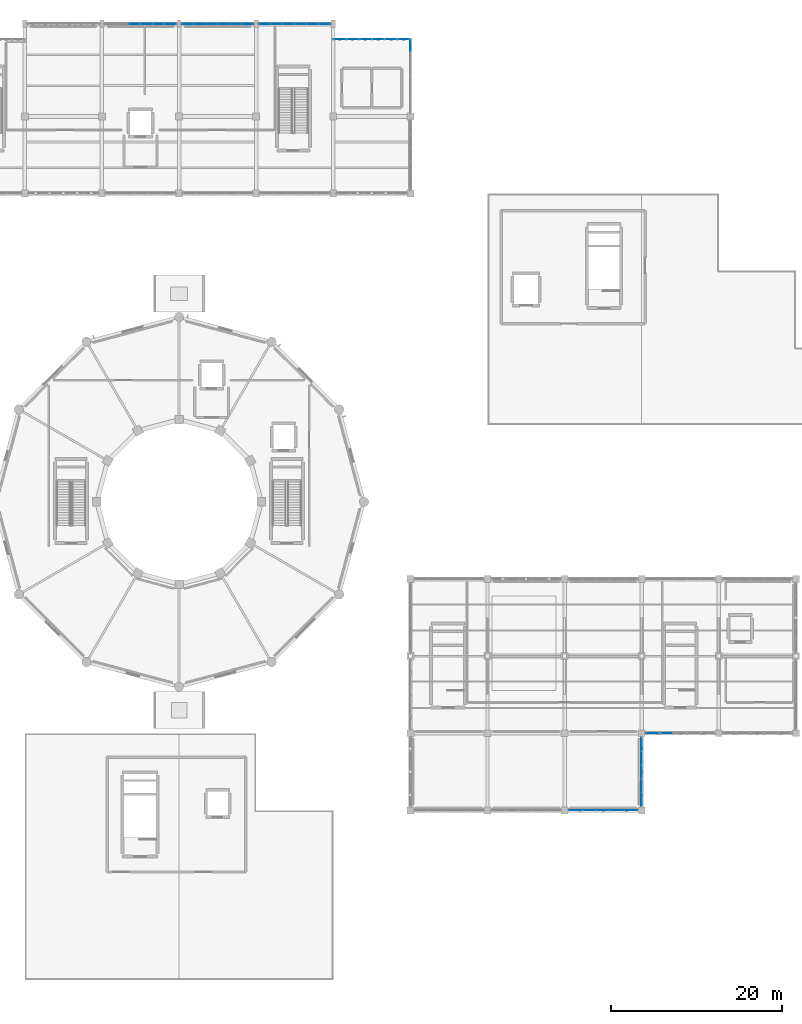
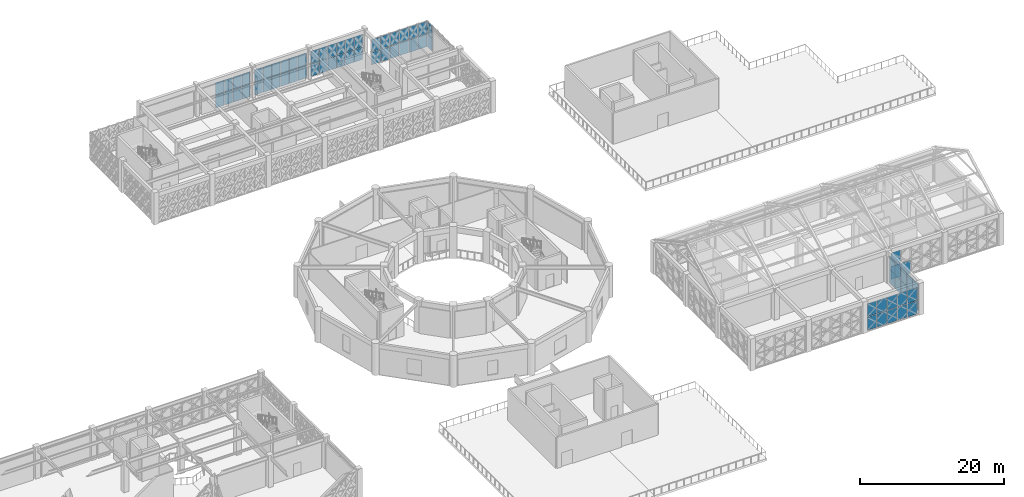
# One storey, part 67 of 86: 69 plates, 8 elements without a shape of their own.
"""IFC4 building model written with IfcOpenShell, lengths in metres."""

import ifcopenshell
import ifcopenshell.guid

model = None  # the IFC model being written
_history = None  # IfcOwnerHistory: only IFC2X3 demands one
_inside = {}  # id of a spatial element -> (the spatial element, [elements in it])
_under = {}  # id of a project, library or spatial element -> (it, [spatial elements below it])
_declared = {}  # id of a project -> (the project, [libraries it declares])
_typed = {}  # id of a type object -> (the type object, [elements of that type])
_made_of = {}  # id of a material, layer set ... -> (it, [elements and type objects made of it])


def new_model(schema):
    """Start an empty IFC model of exactly this schema.

    Asked for "IFC4X3", IfcOpenShell would pick the latest addendum, in which some entities
    have other attributes; the version numbers below select the first issue.
    IFC2X3 requires an IfcOwnerHistory on every rooted entity: one is made here for all.
    """
    global model, _history
    if schema == "IFC4X3":
        model = ifcopenshell.file(schema_version=(4, 3, 0, 0))
    else:
        model = ifcopenshell.file(schema=schema)
    _inside.clear()
    _under.clear()
    _declared.clear()
    _typed.clear()
    _made_of.clear()
    _history = None
    if model.schema == "IFC2X3":
        org = make("IfcOrganization", Name="unknown")
        user = make(
            "IfcPersonAndOrganization",
            ThePerson=make("IfcPerson", FamilyName="unknown"),
            TheOrganization=org,
        )
        app = make(
            "IfcApplication",
            ApplicationDeveloper=org,
            Version="unknown",
            ApplicationFullName="unknown",
            ApplicationIdentifier="unknown",
        )
        _history = make(
            "IfcOwnerHistory",
            OwningUser=user,
            OwningApplication=app,
            ChangeAction="ADDED",
            CreationDate=0,
        )
    return model


def make(cls, **values):
    """One entity of the class cls with the attributes given. An attribute that is None is left unset."""
    return model.create_entity(
        cls, **{name: value for name, value in values.items() if value is not None}
    )


def rooted(cls, **values):
    """An entity with a GlobalId (a new one), such as an element, a storey or a relation."""
    return make(cls, GlobalId=ifcopenshell.guid.new(), OwnerHistory=_history, **values)


def si_unit(unit_type, name, prefix=None):
    """IfcSIUnit, for example si_unit("LENGTHUNIT", "METRE", prefix="MILLI")."""
    return make("IfcSIUnit", UnitType=unit_type, Prefix=prefix, Name=name)


def assignment(units):
    """IfcUnitAssignment: the units of a project."""
    return None if units is None else make("IfcUnitAssignment", Units=units)


def point(xyz):
    """IfcCartesianPoint."""
    return None if xyz is None else make("IfcCartesianPoint", Coordinates=xyz)


def direction(xyz):
    """IfcDirection."""
    return None if xyz is None else make("IfcDirection", DirectionRatios=xyz)


def frame(location, z_axis=None, x_axis=None):
    """IfcAxis2Placement3D, a coordinate frame: its origin and axes. An axis left out is left unset."""
    return make(
        "IfcAxis2Placement3D",
        Location=point(location),
        Axis=direction(z_axis),
        RefDirection=direction(x_axis),
    )


def frame_2d(location, x_axis=None):
    """IfcAxis2Placement2D, a coordinate frame in the plane: its origin and x axis."""
    return make(
        "IfcAxis2Placement2D", Location=point(location), RefDirection=direction(x_axis)
    )


def origin():
    """The frame at (0, 0, 0) with its axes left unset."""
    return frame((0.0, 0.0, 0.0))


def origin_2d():
    """The frame at (0, 0) in the plane with its x axis left unset."""
    return frame_2d((0.0, 0.0))


def place(relative_to, where):
    """IfcLocalPlacement: puts the frame where relative to a parent placement (None: the world)."""
    return make(
        "IfcLocalPlacement", PlacementRelTo=relative_to, RelativePlacement=where
    )


def context(
    kind, dimensions, precision=None, world=None, true_north=None, identifier=None
):
    """IfcGeometricRepresentationContext, for example the 3D "Model" context."""
    return make(
        "IfcGeometricRepresentationContext",
        ContextIdentifier=identifier,
        ContextType=kind,
        CoordinateSpaceDimension=dimensions,
        Precision=precision,
        WorldCoordinateSystem=world,
        TrueNorth=true_north,
    )


def subcontext(parent, identifier, kind, view, scale=None):
    """IfcGeometricRepresentationSubContext, for example "Body" below "Model"."""
    return make(
        "IfcGeometricRepresentationSubContext",
        ContextIdentifier=identifier,
        ContextType=kind,
        ParentContext=parent,
        TargetScale=scale,
        TargetView=view,
    )


def project(units=None, contexts=None):
    """IfcProject with its units and contexts."""
    return rooted(
        "IfcProject",
        Name="project",
        RepresentationContexts=contexts,
        UnitsInContext=assignment(units),
    )


def spatial(cls, under=None, at=None, **own):
    """A site, building, storey or space (cls), placed at a placement, below another one or the project."""
    s = rooted(cls, ObjectPlacement=at, **own)
    if under is not None:
        _under.setdefault(under.id(), (under, []))[1].append(s)
    return s


def profile(cls, at=None, kind="AREA", **sizes):
    """A parametric profile (cls). Its sizes go by their IFC names, for example OverallWidth=200.0."""
    return make(cls, ProfileType=kind, Position=at, **sizes)


def rectangle(**sizes):
    """IfcRectangleProfileDef."""
    return profile("IfcRectangleProfileDef", **sizes)


def extrude(swept, where, along, depth):
    """IfcExtrudedAreaSolid: the profile swept, set in the frame where, extruded along a direction by depth."""
    return make(
        "IfcExtrudedAreaSolid",
        SweptArea=swept,
        Position=where,
        ExtrudedDirection=direction(along),
        Depth=depth,
    )


def shape(context_of_items, identifier, shape_type, items):
    """IfcShapeRepresentation: the items that make up one representation, for example the "Body"."""
    return make(
        "IfcShapeRepresentation",
        ContextOfItems=context_of_items,
        RepresentationIdentifier=identifier,
        RepresentationType=shape_type,
        Items=items,
    )


def material(Name=None, Category=None):
    """IfcMaterial."""
    return make("IfcMaterial", Name=Name, Category=Category)


def layer(
    of_material, thickness, ventilated=None, Name=None, Category=None, Priority=None
):
    """IfcMaterialLayer: one layer of a wall or slab, of a material (None: an air gap)."""
    return make(
        "IfcMaterialLayer",
        Material=of_material,
        LayerThickness=thickness,
        IsVentilated=ventilated,
        Name=Name,
        Category=Category,
        Priority=Priority,
    )


def layer_set(layers, Name=None):
    """IfcMaterialLayerSet."""
    return make("IfcMaterialLayerSet", MaterialLayers=layers, LayerSetName=Name)


def made_of(thing, what):
    """Note that an element or type object is made of a material, layer set ...; save() writes the relation."""
    if what is not None:
        _made_of.setdefault(what.id(), (what, []))[1].append(thing)
    return thing


def type_object(cls, material=None, **own):
    """A type object (cls), such as IfcWallType, which elements share."""
    return made_of(rooted(cls, **own), material)


def element(
    cls,
    number,
    at=None,
    inside=None,
    cuts=None,
    type_object=None,
    material=None,
    context=None,
    identifier="Body",
    shape_type=None,
    held_by="IfcProductDefinitionShape",
    body=None,
    shapes=None,
    **own,
):
    """One element of the class cls, such as IfcWall. Its Tag is "e" and its number.

    at: its placement. inside: the storey or other place that contains it. cuts: it is an
    opening in that element (IfcRelVoidsElement). A single representation is given by context,
    identifier, shape_type and body (its items); several are given by shapes. held_by: the class
    of the entity that holds the representations. save() writes the other relations.
    """
    e = rooted(cls, Tag="e%d" % number, ObjectPlacement=at, **own)
    if body is not None:
        shapes = [shape(context, identifier, shape_type, body)]
    if shapes is not None:
        e.Representation = make(held_by, Representations=shapes)
    if inside is not None:
        _inside.setdefault(inside.id(), (inside, []))[1].append(e)
    if cuts is not None:
        rooted(
            "IfcRelVoidsElement", RelatingBuildingElement=cuts, RelatedOpeningElement=e
        )
    if type_object is not None:
        _typed.setdefault(type_object.id(), (type_object, []))[1].append(e)
    return made_of(e, material)


def aggregate(whole, parts):
    """IfcRelAggregates: a whole, such as a stair, and the parts it consists of."""
    return rooted("IfcRelAggregates", RelatingObject=whole, RelatedObjects=parts)


def save(model, path):
    """Write the relations noted so far, then the file.

    IfcRelAggregates (storeys below a building ...), IfcRelContainedInSpatialStructure (elements
    in a storey), IfcRelDefinesByType, IfcRelAssociatesMaterial and IfcRelDeclares: one each for
    every whole, place, type object, material and project.
    """
    for whole, parts in _under.values():
        aggregate(whole, parts)
    for where, things in _inside.values():
        rooted(
            "IfcRelContainedInSpatialStructure",
            RelatedElements=things,
            RelatingStructure=where,
        )
    for kind, things in _typed.values():
        rooted("IfcRelDefinesByType", RelatedObjects=things, RelatingType=kind)
    for what, things in _made_of.values():
        rooted("IfcRelAssociatesMaterial", RelatedObjects=things, RelatingMaterial=what)
    for by, libraries in _declared.values():
        rooted("IfcRelDeclares", RelatingContext=by, RelatedDefinitions=libraries)
    model.write(path)


model = new_model("IFC4")

# Units and contexts
model_context = context("Model", 3, precision=1e-05, world=origin(), true_north=direction((0.0, 1.0)))
body_context = subcontext(model_context, "Body", "Model", "MODEL_VIEW")
ifc_project = project(units=[si_unit("LENGTHUNIT", "METRE"), si_unit("AREAUNIT", "SQUARE_METRE"), si_unit("VOLUMEUNIT", "CUBIC_METRE"), si_unit("PLANEANGLEUNIT", "RADIAN"), si_unit("MASSUNIT", "GRAM", prefix="KILO")], contexts=[model_context])

# Site, building, storey
site_placement = place(None, origin())
site = spatial("IfcSite", under=ifc_project, at=site_placement, CompositionType="ELEMENT")
building_placement = place(site_placement, origin())
building = spatial("IfcBuilding", under=site, at=building_placement, Name="Haizhuo Lancet Aquarium", CompositionType="ELEMENT")
storey_placement = place(building_placement, frame((0.0, 0.0, 16.199951171875)))
storey = spatial("IfcBuildingStorey", under=building, at=storey_placement, Name="L03", CompositionType="ELEMENT", Elevation=16.199951171875)

# Curtain wall, plates
ifc_material_1 = material(Name="Aluminium 6063-T6", Category="aluminium")
curtain_wall_type_1 = type_object("IfcCurtainWallType", Name="CWO-8110x4650", PredefinedType="NOTDEFINED", material=ifc_material_1)
curtain_wall_1_placement = place(storey_placement, origin())
curtain_wall_1 = element("IfcCurtainWall", 1, at=curtain_wall_1_placement, inside=storey, type_object=curtain_wall_type_1, Name="L03 curtain wall CW-V3-L03-077", PredefinedType="NOTDEFINED")
ifc_material_2 = material(Name="Laminated Low-E Glass", Category="glass")
ifc_layer_1 = layer(ifc_material_2, 0.028076171875)
ifc_layer_set_1 = layer_set([ifc_layer_1], Name="Laminated Low-E Glass")
plate_type_1 = type_object("IfcPlateType", Name="CW-PNL-1", PredefinedType="CURTAIN_PANEL", material=ifc_layer_set_1)
plate_1_placement = place(storey_placement, frame((52.72509765625, -36.0, 0.0751953125), z_axis=(0.0, 0.0, 1.0), x_axis=(-1.0, 0.0, 0.0)))
plate_1 = element("IfcPlate", 2, at=plate_1_placement, type_object=plate_type_1, Name="CWO-81x46 panel 1.1", PredefinedType="CURTAIN_PANEL", context=body_context, shape_type="SweptSolid", body=[
    extrude(rectangle(XDim=1.509033203125, YDim=0.028076171875, at=origin_2d()), origin(), (0.0, 0.0, 1.0), 2.2119140625),
])
plate_2_placement = place(storey_placement, frame((52.72509765625, -36.0, 2.363037109375), z_axis=(0.0, 0.0, 1.0), x_axis=(-1.0, 0.0, 0.0)))
plate_2 = element("IfcPlate", 3, at=plate_2_placement, type_object=plate_type_1, Name="CWO-81x46 panel 1.2", PredefinedType="CURTAIN_PANEL", context=body_context, shape_type="SweptSolid", body=[
    extrude(rectangle(XDim=1.509033203125, YDim=0.028076171875, at=origin_2d()), origin(), (0.0, 0.0, 1.0), 2.2119140625),
])
plate_3_placement = place(storey_placement, frame((51.1220703125, -36.0, 0.0751953125), z_axis=(0.0, 0.0, 1.0), x_axis=(-1.0, 0.0, 0.0)))
plate_3 = element("IfcPlate", 4, at=plate_3_placement, type_object=plate_type_1, Name="CWO-81x46 panel 2.1", PredefinedType="CURTAIN_PANEL", context=body_context, shape_type="SweptSolid", body=[
    extrude(rectangle(XDim=1.547119140625, YDim=0.028076171875, at=origin_2d()), origin(), (0.0, 0.0, 1.0), 2.2119140625),
])
plate_4_placement = place(storey_placement, frame((51.1220703125, -36.0, 2.363037109375), z_axis=(0.0, 0.0, 1.0), x_axis=(-1.0, 0.0, 0.0)))
plate_4 = element("IfcPlate", 5, at=plate_4_placement, type_object=plate_type_1, Name="CWO-81x46 panel 2.2", PredefinedType="CURTAIN_PANEL", context=body_context, shape_type="SweptSolid", body=[
    extrude(rectangle(XDim=1.547119140625, YDim=0.028076171875, at=origin_2d()), origin(), (0.0, 0.0, 1.0), 2.2119140625),
])
plate_5_placement = place(storey_placement, frame((49.5, -36.0, 0.0751953125), z_axis=(0.0, 0.0, 1.0), x_axis=(-1.0, 0.0, 0.0)))
plate_5 = element("IfcPlate", 6, at=plate_5_placement, type_object=plate_type_1, Name="CWO-81x46 panel 3.1", PredefinedType="CURTAIN_PANEL", context=body_context, shape_type="SweptSolid", body=[
    extrude(rectangle(XDim=1.547119140625, YDim=0.028076171875, at=origin_2d()), origin(), (0.0, 0.0, 1.0), 2.2119140625),
])
plate_6_placement = place(storey_placement, frame((49.5, -36.0, 2.363037109375), z_axis=(0.0, 0.0, 1.0), x_axis=(-1.0, 0.0, 0.0)))
plate_6 = element("IfcPlate", 7, at=plate_6_placement, type_object=plate_type_1, Name="CWO-81x46 panel 3.2", PredefinedType="CURTAIN_PANEL", context=body_context, shape_type="SweptSolid", body=[
    extrude(rectangle(XDim=1.547119140625, YDim=0.028076171875, at=origin_2d()), origin(), (0.0, 0.0, 1.0), 2.2119140625),
])
plate_7_placement = place(storey_placement, frame((47.8779296875, -36.0, 0.0751953125), z_axis=(0.0, 0.0, 1.0), x_axis=(-1.0, 0.0, 0.0)))
plate_7 = element("IfcPlate", 8, at=plate_7_placement, type_object=plate_type_1, Name="CWO-81x46 panel 4.1", PredefinedType="CURTAIN_PANEL", context=body_context, shape_type="SweptSolid", body=[
    extrude(rectangle(XDim=1.547119140625, YDim=0.028076171875, at=origin_2d()), origin(), (0.0, 0.0, 1.0), 2.2119140625),
])
plate_8_placement = place(storey_placement, frame((47.8779296875, -36.0, 2.363037109375), z_axis=(0.0, 0.0, 1.0), x_axis=(-1.0, 0.0, 0.0)))
plate_8 = element("IfcPlate", 9, at=plate_8_placement, type_object=plate_type_1, Name="CWO-81x46 panel 4.2", PredefinedType="CURTAIN_PANEL", context=body_context, shape_type="SweptSolid", body=[
    extrude(rectangle(XDim=1.547119140625, YDim=0.028076171875, at=origin_2d()), origin(), (0.0, 0.0, 1.0), 2.2119140625),
])
plate_9_placement = place(storey_placement, frame((46.27490234375, -36.0, 0.0751953125), z_axis=(0.0, 0.0, 1.0), x_axis=(-1.0, 0.0, 0.0)))
plate_9 = element("IfcPlate", 10, at=plate_9_placement, type_object=plate_type_1, Name="CWO-81x46 panel 5.1", PredefinedType="CURTAIN_PANEL", context=body_context, shape_type="SweptSolid", body=[
    extrude(rectangle(XDim=1.510009765625, YDim=0.028076171875, at=origin_2d()), origin(), (0.0, 0.0, 1.0), 2.2119140625),
])
plate_10_placement = place(storey_placement, frame((46.27490234375, -36.0, 2.363037109375), z_axis=(0.0, 0.0, 1.0), x_axis=(-1.0, 0.0, 0.0)))
plate_10 = element("IfcPlate", 11, at=plate_10_placement, type_object=plate_type_1, Name="CWO-81x46 panel 5.2", PredefinedType="CURTAIN_PANEL", context=body_context, shape_type="SweptSolid", body=[
    extrude(rectangle(XDim=1.510009765625, YDim=0.028076171875, at=origin_2d()), origin(), (0.0, 0.0, 1.0), 2.2119140625),
])
aggregate(curtain_wall_1, [plate_1, plate_2, plate_3, plate_4, plate_5, plate_6, plate_7, plate_8, plate_9, plate_10])

curtain_wall_type_2 = type_object("IfcCurtainWallType", Name="CWD-9000x4430", PredefinedType="NOTDEFINED", material=ifc_material_1)
curtain_wall_2_placement = place(storey_placement, origin())
curtain_wall_2 = element("IfcCurtainWall", 12, at=curtain_wall_2_placement, inside=storey, type_object=curtain_wall_type_2, Name="L03 curtain wall CW-V5-L03-165", PredefinedType="NOTDEFINED")
plate_11_placement = place(storey_placement, frame((18.77001953125, 54.0, 0.080078125), z_axis=(0.0, 0.0, 1.0), x_axis=(1.0, 0.0, 0.0)))
plate_11 = element("IfcPlate", 13, at=plate_11_placement, type_object=plate_type_1, Name="CWD-90x44 panel 1.1", PredefinedType="CURTAIN_PANEL", context=body_context, shape_type="SweptSolid", body=[
    extrude(rectangle(XDim=1.3798828125, YDim=0.028076171875, at=origin_2d()), origin(), (0.0, 0.0, 1.0), 2.097900390625),
])
plate_12_placement = place(storey_placement, frame((18.77001953125, 54.0, 2.2587890625), z_axis=(0.0, 0.0, 1.0), x_axis=(1.0, 0.0, 0.0)))
plate_12 = element("IfcPlate", 14, at=plate_12_placement, type_object=plate_type_1, Name="CWD-90x44 panel 1.2", PredefinedType="CURTAIN_PANEL", context=body_context, shape_type="SweptSolid", body=[
    extrude(rectangle(XDim=1.3798828125, YDim=0.028076171875, at=origin_2d()), origin(), (0.0, 0.0, 1.0), 2.096923828125),
])
plate_13_placement = place(storey_placement, frame((20.25, 54.0, 0.080078125), z_axis=(0.0, 0.0, 1.0), x_axis=(1.0, 0.0, 0.0)))
plate_13 = element("IfcPlate", 15, at=plate_13_placement, type_object=plate_type_1, Name="CWD-90x44 panel 2.1", PredefinedType="CURTAIN_PANEL", context=body_context, shape_type="SweptSolid", body=[
    extrude(rectangle(XDim=1.419921875, YDim=0.028076171875, at=origin_2d()), origin(), (0.0, 0.0, 1.0), 2.097900390625),
])
plate_14_placement = place(storey_placement, frame((20.25, 54.0, 2.2587890625), z_axis=(0.0, 0.0, 1.0), x_axis=(1.0, 0.0, 0.0)))
plate_14 = element("IfcPlate", 16, at=plate_14_placement, type_object=plate_type_1, Name="CWD-90x44 panel 2.2", PredefinedType="CURTAIN_PANEL", context=body_context, shape_type="SweptSolid", body=[
    extrude(rectangle(XDim=1.419921875, YDim=0.028076171875, at=origin_2d()), origin(), (0.0, 0.0, 1.0), 2.096923828125),
])
plate_15_placement = place(storey_placement, frame((21.75, 54.0, 0.080078125), z_axis=(0.0, 0.0, 1.0), x_axis=(1.0, 0.0, 0.0)))
plate_15 = element("IfcPlate", 17, at=plate_15_placement, type_object=plate_type_1, Name="CWD-90x44 panel 3.1", PredefinedType="CURTAIN_PANEL", context=body_context, shape_type="SweptSolid", body=[
    extrude(rectangle(XDim=1.419921875, YDim=0.028076171875, at=origin_2d()), origin(), (0.0, 0.0, 1.0), 2.097900390625),
])
plate_16_placement = place(storey_placement, frame((21.75, 54.0, 2.2587890625), z_axis=(0.0, 0.0, 1.0), x_axis=(1.0, 0.0, 0.0)))
plate_16 = element("IfcPlate", 18, at=plate_16_placement, type_object=plate_type_1, Name="CWD-90x44 panel 3.2", PredefinedType="CURTAIN_PANEL", context=body_context, shape_type="SweptSolid", body=[
    extrude(rectangle(XDim=1.419921875, YDim=0.028076171875, at=origin_2d()), origin(), (0.0, 0.0, 1.0), 2.096923828125),
])
plate_17_placement = place(storey_placement, frame((23.25, 54.0, 0.080078125), z_axis=(0.0, 0.0, 1.0), x_axis=(1.0, 0.0, 0.0)))
plate_17 = element("IfcPlate", 19, at=plate_17_placement, type_object=plate_type_1, Name="CWD-90x44 panel 4.1", PredefinedType="CURTAIN_PANEL", context=body_context, shape_type="SweptSolid", body=[
    extrude(rectangle(XDim=1.419921875, YDim=0.028076171875, at=origin_2d()), origin(), (0.0, 0.0, 1.0), 2.097900390625),
])
plate_18_placement = place(storey_placement, frame((23.25, 54.0, 2.2587890625), z_axis=(0.0, 0.0, 1.0), x_axis=(1.0, 0.0, 0.0)))
plate_18 = element("IfcPlate", 20, at=plate_18_placement, type_object=plate_type_1, Name="CWD-90x44 panel 4.2", PredefinedType="CURTAIN_PANEL", context=body_context, shape_type="SweptSolid", body=[
    extrude(rectangle(XDim=1.419921875, YDim=0.028076171875, at=origin_2d()), origin(), (0.0, 0.0, 1.0), 2.096923828125),
])
plate_19_placement = place(storey_placement, frame((24.75, 54.0, 0.080078125), z_axis=(0.0, 0.0, 1.0), x_axis=(1.0, 0.0, 0.0)))
plate_19 = element("IfcPlate", 21, at=plate_19_placement, type_object=plate_type_1, Name="CWD-90x44 panel 5.1", PredefinedType="CURTAIN_PANEL", context=body_context, shape_type="SweptSolid", body=[
    extrude(rectangle(XDim=1.419921875, YDim=0.028076171875, at=origin_2d()), origin(), (0.0, 0.0, 1.0), 2.097900390625),
])
plate_20_placement = place(storey_placement, frame((24.75, 54.0, 2.2587890625), z_axis=(0.0, 0.0, 1.0), x_axis=(1.0, 0.0, 0.0)))
plate_20 = element("IfcPlate", 22, at=plate_20_placement, type_object=plate_type_1, Name="CWD-90x44 panel 5.2", PredefinedType="CURTAIN_PANEL", context=body_context, shape_type="SweptSolid", body=[
    extrude(rectangle(XDim=1.419921875, YDim=0.028076171875, at=origin_2d()), origin(), (0.0, 0.0, 1.0), 2.096923828125),
])
plate_21_placement = place(storey_placement, frame((26.22998046875, 54.0, 0.080078125), z_axis=(0.0, 0.0, 1.0), x_axis=(1.0, 0.0, 0.0)))
plate_21 = element("IfcPlate", 23, at=plate_21_placement, type_object=plate_type_1, Name="CWD-90x44 panel 6.1", PredefinedType="CURTAIN_PANEL", context=body_context, shape_type="SweptSolid", body=[
    extrude(rectangle(XDim=1.3798828125, YDim=0.028076171875, at=origin_2d()), origin(), (0.0, 0.0, 1.0), 2.097900390625),
])
plate_22_placement = place(storey_placement, frame((26.22998046875, 54.0, 2.2587890625), z_axis=(0.0, 0.0, 1.0), x_axis=(1.0, 0.0, 0.0)))
plate_22 = element("IfcPlate", 24, at=plate_22_placement, type_object=plate_type_1, Name="CWD-90x44 panel 6.2", PredefinedType="CURTAIN_PANEL", context=body_context, shape_type="SweptSolid", body=[
    extrude(rectangle(XDim=1.3798828125, YDim=0.028076171875, at=origin_2d()), origin(), (0.0, 0.0, 1.0), 2.096923828125),
])
aggregate(curtain_wall_2, [plate_11, plate_12, plate_13, plate_14, plate_15, plate_16, plate_17, plate_18, plate_19, plate_20, plate_21, plate_22])

curtain_wall_type_3 = type_object("IfcCurtainWallType", Name="CWD-8410x4400", PredefinedType="NOTDEFINED", material=ifc_material_1)
curtain_wall_3_placement = place(storey_placement, origin())
curtain_wall_3 = element("IfcCurtainWall", 25, at=curtain_wall_3_placement, inside=storey, type_object=curtain_wall_type_3, Name="L03 curtain wall CW-V5-L03-162", PredefinedType="NOTDEFINED")
ifc_layer_2 = layer(ifc_material_2, 0.033935546875)
ifc_layer_set_2 = layer_set([ifc_layer_2], Name="Laminated Low-E Glass")
plate_type_2 = type_object("IfcPlateType", Name="CW-PNL-2", PredefinedType="CURTAIN_PANEL", material=ifc_layer_set_2)
plate_23_placement = place(storey_placement, frame((-5.200927734375, 55.800048828125, 0.080078125), z_axis=(0.0, 0.0, 1.0), x_axis=(1.0, 0.0, 0.0)))
plate_23 = element("IfcPlate", 26, at=plate_23_placement, type_object=plate_type_2, Name="CWD-84x44 panel 3.1", PredefinedType="CURTAIN_PANEL", context=body_context, shape_type="SweptSolid", body=[
    extrude(rectangle(XDim=1.322021484375, YDim=0.033935546875, at=origin_2d()), origin(), (0.0, 0.0, 1.0), 2.080078125),
])
plate_24_placement = place(storey_placement, frame((-5.200927734375, 55.800048828125, 2.239990234375), z_axis=(0.0, 0.0, 1.0), x_axis=(1.0, 0.0, 0.0)))
plate_24 = element("IfcPlate", 27, at=plate_24_placement, type_object=plate_type_2, Name="CWD-84x44 panel 3.2", PredefinedType="CURTAIN_PANEL", context=body_context, shape_type="SweptSolid", body=[
    extrude(rectangle(XDim=1.322021484375, YDim=0.033935546875, at=origin_2d()), origin(), (0.0, 0.0, 1.0), 2.080078125),
])
plate_25_placement = place(storey_placement, frame((-3.799072265625, 55.800048828125, 0.080078125), z_axis=(0.0, 0.0, 1.0), x_axis=(1.0, 0.0, 0.0)))
plate_25 = element("IfcPlate", 28, at=plate_25_placement, type_object=plate_type_2, Name="CWD-84x44 panel 4.1", PredefinedType="CURTAIN_PANEL", context=body_context, shape_type="SweptSolid", body=[
    extrude(rectangle(XDim=1.322021484375, YDim=0.033935546875, at=origin_2d()), origin(), (0.0, 0.0, 1.0), 2.080078125),
])
plate_26_placement = place(storey_placement, frame((-3.799072265625, 55.800048828125, 2.239990234375), z_axis=(0.0, 0.0, 1.0), x_axis=(1.0, 0.0, 0.0)))
plate_26 = element("IfcPlate", 29, at=plate_26_placement, type_object=plate_type_2, Name="CWD-84x44 panel 4.2", PredefinedType="CURTAIN_PANEL", context=body_context, shape_type="SweptSolid", body=[
    extrude(rectangle(XDim=1.322021484375, YDim=0.033935546875, at=origin_2d()), origin(), (0.0, 0.0, 1.0), 2.080078125),
])
plate_27_placement = place(storey_placement, frame((-2.39794921875, 55.800048828125, 0.080078125), z_axis=(0.0, 0.0, 1.0), x_axis=(1.0, 0.0, 0.0)))
plate_27 = element("IfcPlate", 30, at=plate_27_placement, type_object=plate_type_2, Name="CWD-84x44 panel 5.1", PredefinedType="CURTAIN_PANEL", context=body_context, shape_type="SweptSolid", body=[
    extrude(rectangle(XDim=1.322021484375, YDim=0.033935546875, at=origin_2d()), origin(), (0.0, 0.0, 1.0), 2.080078125),
])
plate_28_placement = place(storey_placement, frame((-2.39794921875, 55.800048828125, 2.239990234375), z_axis=(0.0, 0.0, 1.0), x_axis=(1.0, 0.0, 0.0)))
plate_28 = element("IfcPlate", 31, at=plate_28_placement, type_object=plate_type_2, Name="CWD-84x44 panel 5.2", PredefinedType="CURTAIN_PANEL", context=body_context, shape_type="SweptSolid", body=[
    extrude(rectangle(XDim=1.322021484375, YDim=0.033935546875, at=origin_2d()), origin(), (0.0, 0.0, 1.0), 2.080078125),
])
plate_29_placement = place(storey_placement, frame((-1.01611328125, 55.800048828125, 0.080078125), z_axis=(0.0, 0.0, 1.0), x_axis=(1.0, 0.0, 0.0)))
plate_29 = element("IfcPlate", 32, at=plate_29_placement, type_object=plate_type_2, Name="CWD-84x44 panel 6.1", PredefinedType="CURTAIN_PANEL", context=body_context, shape_type="SweptSolid", body=[
    extrude(rectangle(XDim=1.281982421875, YDim=0.033935546875, at=origin_2d()), origin(), (0.0, 0.0, 1.0), 2.080078125),
])
plate_30_placement = place(storey_placement, frame((-1.01611328125, 55.800048828125, 2.239990234375), z_axis=(0.0, 0.0, 1.0), x_axis=(1.0, 0.0, 0.0)))
plate_30 = element("IfcPlate", 33, at=plate_30_placement, type_object=plate_type_2, Name="CWD-84x44 panel 6.2", PredefinedType="CURTAIN_PANEL", context=body_context, shape_type="SweptSolid", body=[
    extrude(rectangle(XDim=1.281982421875, YDim=0.033935546875, at=origin_2d()), origin(), (0.0, 0.0, 1.0), 2.080078125),
])
aggregate(curtain_wall_3, [plate_23, plate_24, plate_25, plate_26, plate_27, plate_28, plate_29, plate_30])

curtain_wall_type_4 = type_object("IfcCurtainWallType", Name="CWD-8560x4450", PredefinedType="NOTDEFINED", material=ifc_material_1)
curtain_wall_4_placement = place(storey_placement, origin())
curtain_wall_4 = element("IfcCurtainWall", 34, at=curtain_wall_4_placement, inside=storey, type_object=curtain_wall_type_4, Name="L03 curtain wall CW-V5-L03-166", PredefinedType="NOTDEFINED")
plate_31_placement = place(storey_placement, frame((27.0, 53.27099609375, 0.065185546875), z_axis=(0.0, 0.0, 1.0), x_axis=(0.0, -1.0, 0.0)))
plate_31 = element("IfcPlate", 35, at=plate_31_placement, type_object=plate_type_2, Name="CWD-85x44 panel 1.1", PredefinedType="CURTAIN_PANEL", context=body_context, shape_type="SweptSolid", body=[
    extrude(rectangle(XDim=1.327880859375, YDim=0.033935546875, at=origin_2d()), origin(), (0.0, 0.0, 1.0), 2.1279296875),
])
plate_32_placement = place(storey_placement, frame((27.0, 53.27099609375, 2.257080078125), z_axis=(0.0, 0.0, 1.0), x_axis=(0.0, -1.0, 0.0)))
plate_32 = element("IfcPlate", 36, at=plate_32_placement, type_object=plate_type_2, Name="CWD-85x44 panel 1.2", PredefinedType="CURTAIN_PANEL", context=body_context, shape_type="SweptSolid", body=[
    extrude(rectangle(XDim=1.327880859375, YDim=0.033935546875, at=origin_2d()), origin(), (0.0, 0.0, 1.0), 2.1279296875),
])
aggregate(curtain_wall_4, [plate_31, plate_32])

curtain_wall_5_placement = place(storey_placement, origin())
curtain_wall_5 = element("IfcCurtainWall", 37, at=curtain_wall_5_placement, inside=storey, type_object=curtain_wall_type_1, Name="L03 curtain wall CW-V3-L03-075", PredefinedType="NOTDEFINED")
ifc_layer_3 = layer(ifc_material_2, 0.0419921875)
ifc_layer_set_3 = layer_set([ifc_layer_3], Name="Laminated Low-E Glass")
plate_type_3 = type_object("IfcPlateType", Name="CW-PNL-3", PredefinedType="CURTAIN_PANEL", material=ifc_layer_set_3)
plate_33_placement = place(storey_placement, frame((56.8779296875, -27.0, 0.08056640625), z_axis=(0.0, 0.0, 1.0), x_axis=(-1.0, 0.0, 0.0)))
plate_33 = element("IfcPlate", 38, at=plate_33_placement, type_object=plate_type_3, Name="CWO-81x46 panel 4.1", PredefinedType="CURTAIN_PANEL", context=body_context, shape_type="SweptSolid", body=[
    extrude(rectangle(XDim=1.5419921875, YDim=0.0419921875, at=origin_2d()), origin(), (0.0, 0.0, 1.0), 2.205078125),
])
plate_34_placement = place(storey_placement, frame((55.27587890625, -27.0, 0.08056640625), z_axis=(0.0, 0.0, 1.0), x_axis=(-1.0, 0.0, 0.0)))
plate_34 = element("IfcPlate", 39, at=plate_34_placement, type_object=plate_type_3, Name="CWO-81x46 panel 5.1", PredefinedType="CURTAIN_PANEL", context=body_context, shape_type="SweptSolid", body=[
    extrude(rectangle(XDim=1.501953125, YDim=0.0419921875, at=origin_2d()), origin(), (0.0, 0.0, 1.0), 2.205078125),
])
plate_35_placement = place(storey_placement, frame((55.27587890625, -27.0, 2.365478515625), z_axis=(0.0, 0.0, 1.0), x_axis=(-1.0, 0.0, 0.0)))
plate_35 = element("IfcPlate", 40, at=plate_35_placement, type_object=plate_type_3, Name="CWO-81x46 panel 5.2", PredefinedType="CURTAIN_PANEL", context=body_context, shape_type="SweptSolid", body=[
    extrude(rectangle(XDim=1.501953125, YDim=0.0419921875, at=origin_2d()), origin(), (0.0, 0.0, 1.0), 2.205078125),
])
aggregate(curtain_wall_5, [plate_33, plate_34, plate_35])

curtain_wall_6_placement = place(storey_placement, origin())
curtain_wall_6 = element("IfcCurtainWall", 41, at=curtain_wall_6_placement, inside=storey, type_object=curtain_wall_type_3, Name="L03 curtain wall CW-V5-L03-163", PredefinedType="NOTDEFINED")
plate_36_placement = place(storey_placement, frame((1.011962890625, 55.800048828125, 0.064453125), z_axis=(0.0, 0.0, 1.0), x_axis=(1.0, 0.0, 0.0)))
plate_36 = element("IfcPlate", 42, at=plate_36_placement, type_object=plate_type_3, Name="CWD-84x44 panel 1.1", PredefinedType="CURTAIN_PANEL", context=body_context, shape_type="SweptSolid", body=[
    extrude(rectangle(XDim=1.303955078125, YDim=0.0419921875, at=origin_2d()), origin(), (0.0, 0.0, 1.0), 2.10302734375),
])
plate_37_placement = place(storey_placement, frame((1.011962890625, 55.800048828125, 2.232421875), z_axis=(0.0, 0.0, 1.0), x_axis=(1.0, 0.0, 0.0)))
plate_37 = element("IfcPlate", 43, at=plate_37_placement, type_object=plate_type_3, Name="CWD-84x44 panel 1.2", PredefinedType="CURTAIN_PANEL", context=body_context, shape_type="SweptSolid", body=[
    extrude(rectangle(XDim=1.303955078125, YDim=0.0419921875, at=origin_2d()), origin(), (0.0, 0.0, 1.0), 2.10302734375),
])
plate_38_placement = place(storey_placement, frame((2.39697265625, 55.800048828125, 0.064453125), z_axis=(0.0, 0.0, 1.0), x_axis=(1.0, 0.0, 0.0)))
plate_38 = element("IfcPlate", 44, at=plate_38_placement, type_object=plate_type_3, Name="CWD-84x44 panel 2.1", PredefinedType="CURTAIN_PANEL", context=body_context, shape_type="SweptSolid", body=[
    extrude(rectangle(XDim=1.3369140625, YDim=0.0419921875, at=origin_2d()), origin(), (0.0, 0.0, 1.0), 2.10302734375),
])
plate_39_placement = place(storey_placement, frame((2.39697265625, 55.800048828125, 2.232421875), z_axis=(0.0, 0.0, 1.0), x_axis=(1.0, 0.0, 0.0)))
plate_39 = element("IfcPlate", 45, at=plate_39_placement, type_object=plate_type_3, Name="CWD-84x44 panel 2.2", PredefinedType="CURTAIN_PANEL", context=body_context, shape_type="SweptSolid", body=[
    extrude(rectangle(XDim=1.3369140625, YDim=0.0419921875, at=origin_2d()), origin(), (0.0, 0.0, 1.0), 2.10302734375),
])
plate_40_placement = place(storey_placement, frame((3.799072265625, 55.800048828125, 0.064453125), z_axis=(0.0, 0.0, 1.0), x_axis=(1.0, 0.0, 0.0)))
plate_40 = element("IfcPlate", 46, at=plate_40_placement, type_object=plate_type_3, Name="CWD-84x44 panel 3.1", PredefinedType="CURTAIN_PANEL", context=body_context, shape_type="SweptSolid", body=[
    extrude(rectangle(XDim=1.3369140625, YDim=0.0419921875, at=origin_2d()), origin(), (0.0, 0.0, 1.0), 2.10302734375),
])
plate_41_placement = place(storey_placement, frame((3.799072265625, 55.800048828125, 2.232421875), z_axis=(0.0, 0.0, 1.0), x_axis=(1.0, 0.0, 0.0)))
plate_41 = element("IfcPlate", 47, at=plate_41_placement, type_object=plate_type_3, Name="CWD-84x44 panel 3.2", PredefinedType="CURTAIN_PANEL", context=body_context, shape_type="SweptSolid", body=[
    extrude(rectangle(XDim=1.3369140625, YDim=0.0419921875, at=origin_2d()), origin(), (0.0, 0.0, 1.0), 2.10302734375),
])
plate_42_placement = place(storey_placement, frame((5.200927734375, 55.800048828125, 0.064453125), z_axis=(0.0, 0.0, 1.0), x_axis=(1.0, 0.0, 0.0)))
plate_42 = element("IfcPlate", 48, at=plate_42_placement, type_object=plate_type_3, Name="CWD-84x44 panel 4.1", PredefinedType="CURTAIN_PANEL", context=body_context, shape_type="SweptSolid", body=[
    extrude(rectangle(XDim=1.3369140625, YDim=0.0419921875, at=origin_2d()), origin(), (0.0, 0.0, 1.0), 2.10302734375),
])
plate_43_placement = place(storey_placement, frame((5.200927734375, 55.800048828125, 2.232421875), z_axis=(0.0, 0.0, 1.0), x_axis=(1.0, 0.0, 0.0)))
plate_43 = element("IfcPlate", 49, at=plate_43_placement, type_object=plate_type_3, Name="CWD-84x44 panel 4.2", PredefinedType="CURTAIN_PANEL", context=body_context, shape_type="SweptSolid", body=[
    extrude(rectangle(XDim=1.3369140625, YDim=0.0419921875, at=origin_2d()), origin(), (0.0, 0.0, 1.0), 2.10302734375),
])
plate_44_placement = place(storey_placement, frame((6.60205078125, 55.800048828125, 0.064453125), z_axis=(0.0, 0.0, 1.0), x_axis=(1.0, 0.0, 0.0)))
plate_44 = element("IfcPlate", 50, at=plate_44_placement, type_object=plate_type_3, Name="CWD-84x44 panel 5.1", PredefinedType="CURTAIN_PANEL", context=body_context, shape_type="SweptSolid", body=[
    extrude(rectangle(XDim=1.3369140625, YDim=0.0419921875, at=origin_2d()), origin(), (0.0, 0.0, 1.0), 2.10302734375),
])
plate_45_placement = place(storey_placement, frame((6.60205078125, 55.800048828125, 2.232421875), z_axis=(0.0, 0.0, 1.0), x_axis=(1.0, 0.0, 0.0)))
plate_45 = element("IfcPlate", 51, at=plate_45_placement, type_object=plate_type_3, Name="CWD-84x44 panel 5.2", PredefinedType="CURTAIN_PANEL", context=body_context, shape_type="SweptSolid", body=[
    extrude(rectangle(XDim=1.3369140625, YDim=0.0419921875, at=origin_2d()), origin(), (0.0, 0.0, 1.0), 2.10302734375),
])
plate_46_placement = place(storey_placement, frame((7.988037109375, 55.800048828125, 0.064453125), z_axis=(0.0, 0.0, 1.0), x_axis=(1.0, 0.0, 0.0)))
plate_46 = element("IfcPlate", 52, at=plate_46_placement, type_object=plate_type_3, Name="CWD-84x44 panel 6.1", PredefinedType="CURTAIN_PANEL", context=body_context, shape_type="SweptSolid", body=[
    extrude(rectangle(XDim=1.303955078125, YDim=0.0419921875, at=origin_2d()), origin(), (0.0, 0.0, 1.0), 2.10302734375),
])
plate_47_placement = place(storey_placement, frame((7.988037109375, 55.800048828125, 2.232421875), z_axis=(0.0, 0.0, 1.0), x_axis=(1.0, 0.0, 0.0)))
plate_47 = element("IfcPlate", 53, at=plate_47_placement, type_object=plate_type_3, Name="CWD-84x44 panel 6.2", PredefinedType="CURTAIN_PANEL", context=body_context, shape_type="SweptSolid", body=[
    extrude(rectangle(XDim=1.303955078125, YDim=0.0419921875, at=origin_2d()), origin(), (0.0, 0.0, 1.0), 2.10302734375),
])
aggregate(curtain_wall_6, [plate_36, plate_37, plate_38, plate_39, plate_40, plate_41, plate_42, plate_43, plate_44, plate_45, plate_46, plate_47])

curtain_wall_type_5 = type_object("IfcCurtainWallType", Name="CWO-8110x4700", PredefinedType="NOTDEFINED", material=ifc_material_1)
curtain_wall_7_placement = place(storey_placement, origin())
curtain_wall_7 = element("IfcCurtainWall", 54, at=curtain_wall_7_placement, inside=storey, type_object=curtain_wall_type_5, Name="L03 curtain wall CW-V3-L03-076", PredefinedType="NOTDEFINED")
ifc_layer_4 = layer(ifc_material_2, 0.052001953125)
ifc_layer_set_4 = layer_set([ifc_layer_4], Name="Laminated Low-E Glass")
plate_type_4 = type_object("IfcPlateType", Name="CW-PNL-4", PredefinedType="CURTAIN_PANEL", material=ifc_layer_set_4)
plate_48_placement = place(storey_placement, frame((54.0, -28.27197265625, 0.064697265625), z_axis=(0.0, 0.0, 1.0), x_axis=(0.0, -1.0, 0.0)))
plate_48 = element("IfcPlate", 55, at=plate_48_placement, type_object=plate_type_4, Name="CWO-81x47 panel 1.1", PredefinedType="CURTAIN_PANEL", context=body_context, shape_type="SweptSolid", body=[
    extrude(rectangle(XDim=1.52392578125, YDim=0.052001953125, at=origin_2d()), origin(), (0.0, 0.0, 1.0), 2.2529296875),
])
plate_49_placement = place(storey_placement, frame((54.0, -28.27197265625, 2.382568359375), z_axis=(0.0, 0.0, 1.0), x_axis=(0.0, -1.0, 0.0)))
plate_49 = element("IfcPlate", 56, at=plate_49_placement, type_object=plate_type_4, Name="CWO-81x47 panel 1.2", PredefinedType="CURTAIN_PANEL", context=body_context, shape_type="SweptSolid", body=[
    extrude(rectangle(XDim=1.52392578125, YDim=0.052001953125, at=origin_2d()), origin(), (0.0, 0.0, 1.0), 2.2529296875),
])
plate_50_placement = place(storey_placement, frame((54.0, -29.8779296875, 0.064697265625), z_axis=(0.0, 0.0, 1.0), x_axis=(0.0, -1.0, 0.0)))
plate_50 = element("IfcPlate", 57, at=plate_50_placement, type_object=plate_type_4, Name="CWO-81x47 panel 2.1", PredefinedType="CURTAIN_PANEL", context=body_context, shape_type="SweptSolid", body=[
    extrude(rectangle(XDim=1.556884765625, YDim=0.052001953125, at=origin_2d()), origin(), (0.0, 0.0, 1.0), 2.2529296875),
])
plate_51_placement = place(storey_placement, frame((54.0, -29.8779296875, 2.382568359375), z_axis=(0.0, 0.0, 1.0), x_axis=(0.0, -1.0, 0.0)))
plate_51 = element("IfcPlate", 58, at=plate_51_placement, type_object=plate_type_4, Name="CWO-81x47 panel 2.2", PredefinedType="CURTAIN_PANEL", context=body_context, shape_type="SweptSolid", body=[
    extrude(rectangle(XDim=1.556884765625, YDim=0.052001953125, at=origin_2d()), origin(), (0.0, 0.0, 1.0), 2.2529296875),
])
plate_52_placement = place(storey_placement, frame((54.0, -31.5, 0.064697265625), z_axis=(0.0, 0.0, 1.0), x_axis=(0.0, -1.0, 0.0)))
plate_52 = element("IfcPlate", 59, at=plate_52_placement, type_object=plate_type_4, Name="CWO-81x47 panel 3.1", PredefinedType="CURTAIN_PANEL", context=body_context, shape_type="SweptSolid", body=[
    extrude(rectangle(XDim=1.556884765625, YDim=0.052001953125, at=origin_2d()), origin(), (0.0, 0.0, 1.0), 2.2529296875),
])
plate_53_placement = place(storey_placement, frame((54.0, -31.5, 2.382568359375), z_axis=(0.0, 0.0, 1.0), x_axis=(0.0, -1.0, 0.0)))
plate_53 = element("IfcPlate", 60, at=plate_53_placement, type_object=plate_type_4, Name="CWO-81x47 panel 3.2", PredefinedType="CURTAIN_PANEL", context=body_context, shape_type="SweptSolid", body=[
    extrude(rectangle(XDim=1.556884765625, YDim=0.052001953125, at=origin_2d()), origin(), (0.0, 0.0, 1.0), 2.2529296875),
])
plate_54_placement = place(storey_placement, frame((54.0, -33.1220703125, 0.064697265625), z_axis=(0.0, 0.0, 1.0), x_axis=(0.0, -1.0, 0.0)))
plate_54 = element("IfcPlate", 61, at=plate_54_placement, type_object=plate_type_4, Name="CWO-81x47 panel 4.1", PredefinedType="CURTAIN_PANEL", context=body_context, shape_type="SweptSolid", body=[
    extrude(rectangle(XDim=1.556884765625, YDim=0.052001953125, at=origin_2d()), origin(), (0.0, 0.0, 1.0), 2.2529296875),
])
plate_55_placement = place(storey_placement, frame((54.0, -33.1220703125, 2.382568359375), z_axis=(0.0, 0.0, 1.0), x_axis=(0.0, -1.0, 0.0)))
plate_55 = element("IfcPlate", 62, at=plate_55_placement, type_object=plate_type_4, Name="CWO-81x47 panel 4.2", PredefinedType="CURTAIN_PANEL", context=body_context, shape_type="SweptSolid", body=[
    extrude(rectangle(XDim=1.556884765625, YDim=0.052001953125, at=origin_2d()), origin(), (0.0, 0.0, 1.0), 2.2529296875),
])
plate_56_placement = place(storey_placement, frame((54.0, -34.72802734375, 0.064697265625), z_axis=(0.0, 0.0, 1.0), x_axis=(0.0, -1.0, 0.0)))
plate_56 = element("IfcPlate", 63, at=plate_56_placement, type_object=plate_type_4, Name="CWO-81x47 panel 5.1", PredefinedType="CURTAIN_PANEL", context=body_context, shape_type="SweptSolid", body=[
    extrude(rectangle(XDim=1.52392578125, YDim=0.052001953125, at=origin_2d()), origin(), (0.0, 0.0, 1.0), 2.2529296875),
])
plate_57_placement = place(storey_placement, frame((54.0, -34.72802734375, 2.382568359375), z_axis=(0.0, 0.0, 1.0), x_axis=(0.0, -1.0, 0.0)))
plate_57 = element("IfcPlate", 64, at=plate_57_placement, type_object=plate_type_4, Name="CWO-81x47 panel 5.2", PredefinedType="CURTAIN_PANEL", context=body_context, shape_type="SweptSolid", body=[
    extrude(rectangle(XDim=1.52392578125, YDim=0.052001953125, at=origin_2d()), origin(), (0.0, 0.0, 1.0), 2.2529296875),
])
aggregate(curtain_wall_7, [plate_48, plate_49, plate_50, plate_51, plate_52, plate_53, plate_54, plate_55, plate_56, plate_57])

curtain_wall_8_placement = place(storey_placement, origin())
curtain_wall_8 = element("IfcCurtainWall", 65, at=curtain_wall_8_placement, inside=storey, type_object=curtain_wall_type_3, Name="L03 curtain wall CW-V5-L03-164", PredefinedType="NOTDEFINED")
plate_58_placement = place(storey_placement, frame((10.014892578125, 55.800048828125, 0.07568359375), z_axis=(0.0, 0.0, 1.0), x_axis=(1.0, 0.0, 0.0)))
plate_58 = element("IfcPlate", 66, at=plate_58_placement, type_object=plate_type_4, Name="CWD-84x44 panel 1.1", PredefinedType="CURTAIN_PANEL", context=body_context, shape_type="SweptSolid", body=[
    extrude(rectangle(XDim=1.2890625, YDim=0.052001953125, at=origin_2d()), origin(), (0.0, 0.0, 1.0), 2.0869140625),
])
plate_59_placement = place(storey_placement, frame((10.014892578125, 55.800048828125, 2.237548828125), z_axis=(0.0, 0.0, 1.0), x_axis=(1.0, 0.0, 0.0)))
plate_59 = element("IfcPlate", 67, at=plate_59_placement, type_object=plate_type_4, Name="CWD-84x44 panel 1.2", PredefinedType="CURTAIN_PANEL", context=body_context, shape_type="SweptSolid", body=[
    extrude(rectangle(XDim=1.2890625, YDim=0.052001953125, at=origin_2d()), origin(), (0.0, 0.0, 1.0), 2.0869140625),
])
plate_60_placement = place(storey_placement, frame((11.39697265625, 55.800048828125, 0.07568359375), z_axis=(0.0, 0.0, 1.0), x_axis=(1.0, 0.0, 0.0)))
plate_60 = element("IfcPlate", 68, at=plate_60_placement, type_object=plate_type_4, Name="CWD-84x44 panel 2.1", PredefinedType="CURTAIN_PANEL", context=body_context, shape_type="SweptSolid", body=[
    extrude(rectangle(XDim=1.326904296875, YDim=0.052001953125, at=origin_2d()), origin(), (0.0, 0.0, 1.0), 2.0869140625),
])
plate_61_placement = place(storey_placement, frame((11.39697265625, 55.800048828125, 2.237548828125), z_axis=(0.0, 0.0, 1.0), x_axis=(1.0, 0.0, 0.0)))
plate_61 = element("IfcPlate", 69, at=plate_61_placement, type_object=plate_type_4, Name="CWD-84x44 panel 2.2", PredefinedType="CURTAIN_PANEL", context=body_context, shape_type="SweptSolid", body=[
    extrude(rectangle(XDim=1.326904296875, YDim=0.052001953125, at=origin_2d()), origin(), (0.0, 0.0, 1.0), 2.0869140625),
])
plate_62_placement = place(storey_placement, frame((12.799072265625, 55.800048828125, 0.07568359375), z_axis=(0.0, 0.0, 1.0), x_axis=(1.0, 0.0, 0.0)))
plate_62 = element("IfcPlate", 70, at=plate_62_placement, type_object=plate_type_4, Name="CWD-84x44 panel 3.1", PredefinedType="CURTAIN_PANEL", context=body_context, shape_type="SweptSolid", body=[
    extrude(rectangle(XDim=1.326904296875, YDim=0.052001953125, at=origin_2d()), origin(), (0.0, 0.0, 1.0), 2.0869140625),
])
plate_63_placement = place(storey_placement, frame((12.799072265625, 55.800048828125, 2.237548828125), z_axis=(0.0, 0.0, 1.0), x_axis=(1.0, 0.0, 0.0)))
plate_63 = element("IfcPlate", 71, at=plate_63_placement, type_object=plate_type_4, Name="CWD-84x44 panel 3.2", PredefinedType="CURTAIN_PANEL", context=body_context, shape_type="SweptSolid", body=[
    extrude(rectangle(XDim=1.326904296875, YDim=0.052001953125, at=origin_2d()), origin(), (0.0, 0.0, 1.0), 2.0869140625),
])
plate_64_placement = place(storey_placement, frame((14.200927734375, 55.800048828125, 0.07568359375), z_axis=(0.0, 0.0, 1.0), x_axis=(1.0, 0.0, 0.0)))
plate_64 = element("IfcPlate", 72, at=plate_64_placement, type_object=plate_type_4, Name="CWD-84x44 panel 4.1", PredefinedType="CURTAIN_PANEL", context=body_context, shape_type="SweptSolid", body=[
    extrude(rectangle(XDim=1.326904296875, YDim=0.052001953125, at=origin_2d()), origin(), (0.0, 0.0, 1.0), 2.0869140625),
])
plate_65_placement = place(storey_placement, frame((14.200927734375, 55.800048828125, 2.237548828125), z_axis=(0.0, 0.0, 1.0), x_axis=(1.0, 0.0, 0.0)))
plate_65 = element("IfcPlate", 73, at=plate_65_placement, type_object=plate_type_4, Name="CWD-84x44 panel 4.2", PredefinedType="CURTAIN_PANEL", context=body_context, shape_type="SweptSolid", body=[
    extrude(rectangle(XDim=1.326904296875, YDim=0.052001953125, at=origin_2d()), origin(), (0.0, 0.0, 1.0), 2.0869140625),
])
plate_66_placement = place(storey_placement, frame((15.60205078125, 55.800048828125, 0.07568359375), z_axis=(0.0, 0.0, 1.0), x_axis=(1.0, 0.0, 0.0)))
plate_66 = element("IfcPlate", 74, at=plate_66_placement, type_object=plate_type_4, Name="CWD-84x44 panel 5.1", PredefinedType="CURTAIN_PANEL", context=body_context, shape_type="SweptSolid", body=[
    extrude(rectangle(XDim=1.326904296875, YDim=0.052001953125, at=origin_2d()), origin(), (0.0, 0.0, 1.0), 2.0869140625),
])
plate_67_placement = place(storey_placement, frame((15.60205078125, 55.800048828125, 2.237548828125), z_axis=(0.0, 0.0, 1.0), x_axis=(1.0, 0.0, 0.0)))
plate_67 = element("IfcPlate", 75, at=plate_67_placement, type_object=plate_type_4, Name="CWD-84x44 panel 5.2", PredefinedType="CURTAIN_PANEL", context=body_context, shape_type="SweptSolid", body=[
    extrude(rectangle(XDim=1.326904296875, YDim=0.052001953125, at=origin_2d()), origin(), (0.0, 0.0, 1.0), 2.0869140625),
])
plate_68_placement = place(storey_placement, frame((16.985107421875, 55.800048828125, 0.07568359375), z_axis=(0.0, 0.0, 1.0), x_axis=(1.0, 0.0, 0.0)))
plate_68 = element("IfcPlate", 76, at=plate_68_placement, type_object=plate_type_4, Name="CWD-84x44 panel 6.1", PredefinedType="CURTAIN_PANEL", context=body_context, shape_type="SweptSolid", body=[
    extrude(rectangle(XDim=1.2890625, YDim=0.052001953125, at=origin_2d()), origin(), (0.0, 0.0, 1.0), 2.0869140625),
])
plate_69_placement = place(storey_placement, frame((16.985107421875, 55.800048828125, 2.237548828125), z_axis=(0.0, 0.0, 1.0), x_axis=(1.0, 0.0, 0.0)))
plate_69 = element("IfcPlate", 77, at=plate_69_placement, type_object=plate_type_4, Name="CWD-84x44 panel 6.2", PredefinedType="CURTAIN_PANEL", context=body_context, shape_type="SweptSolid", body=[
    extrude(rectangle(XDim=1.2890625, YDim=0.052001953125, at=origin_2d()), origin(), (0.0, 0.0, 1.0), 2.0869140625),
])
aggregate(curtain_wall_8, [plate_58, plate_59, plate_60, plate_61, plate_62, plate_63, plate_64, plate_65, plate_66, plate_67, plate_68, plate_69])

save(model, "model.ifc")
